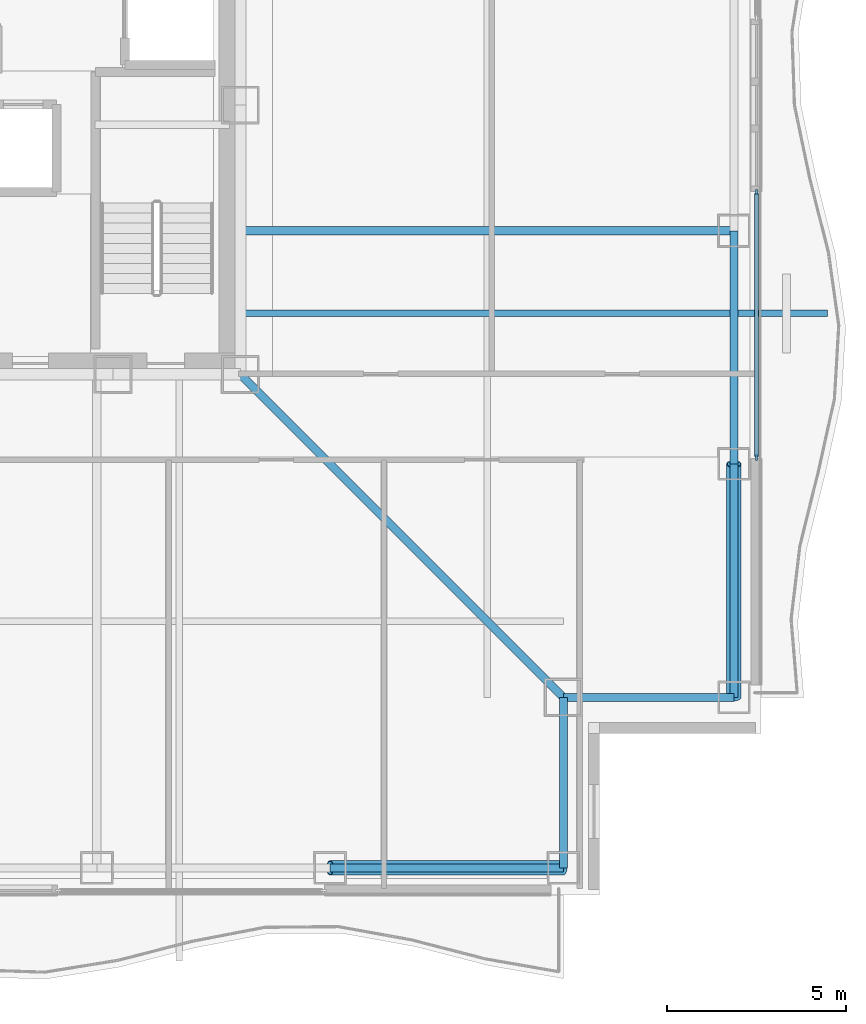
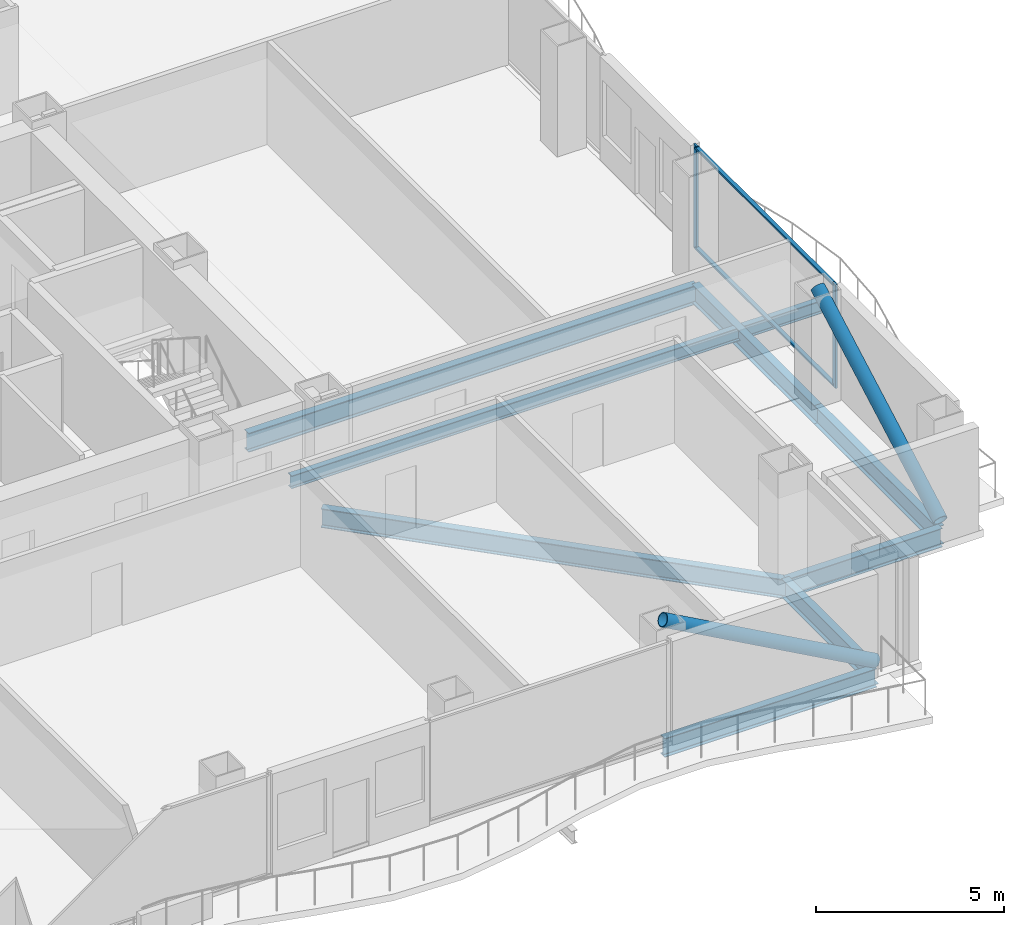
# One storey, part 6 of 18: 8 beams, 6 members, 1 element without a shape of its own.
"""IFC4 building model written with IfcOpenShell, lengths in metres."""

from ifc_helpers import new_model, si_unit, direction, frame, origin, origin_2d, place, context, subcontext, project, spatial, rectangle, hollow_circle, i_section, extrude, material, layer, layer_set, material_profile, profile_set, type_object, element, aggregate, save


model = new_model("IFC4")

# Units and contexts
model_context = context("Model", 3, precision=1e-05, world=origin(), true_north=direction((0.0, 1.0)))
body_context = subcontext(model_context, "Body", "Model", "MODEL_VIEW")
ifc_project = project(units=[si_unit("LENGTHUNIT", "METRE"), si_unit("AREAUNIT", "SQUARE_METRE"), si_unit("VOLUMEUNIT", "CUBIC_METRE"), si_unit("PLANEANGLEUNIT", "RADIAN"), si_unit("MASSUNIT", "GRAM", prefix="KILO")], contexts=[model_context])

# Site, building, storey
site_placement = place(None, origin())
site = spatial("IfcSite", under=ifc_project, at=site_placement, CompositionType="ELEMENT")
building_placement = place(site_placement, origin())
building = spatial("IfcBuilding", under=site, at=building_placement, Name="Trevonay Congress Spire", CompositionType="ELEMENT")
storey_placement = place(building_placement, frame((0.0, 0.0, 122.800048828125)))
storey = spatial("IfcBuildingStorey", under=building, at=storey_placement, Name="L31", CompositionType="ELEMENT", Elevation=122.800048828125)

# Beams
ifc_material_1 = material(Name="Steel ASTM A572 Grade 50", Category="steel")
ifc_material_profile_1 = material_profile(ifc_material_1, i_section(OverallWidth=0.22998046875, OverallDepth=0.616943359375, WebThickness=0.01318359375, FlangeThickness=0.022216796875, FilletRadius=0.01611328125, at=origin_2d()), Name="W610x140")
ifc_profile_set_1 = profile_set([ifc_material_profile_1], Name="Steel ASTM A572 Grade 50")
beam_type_1 = type_object("IfcBeamType", Name="BM-GIRD-W610X140", PredefinedType="BEAM", material=ifc_profile_set_1)
beam_1_placement = place(storey_placement, frame((7.5, -7.5, -0.548583984375), z_axis=(0.707106781187, -0.707106781187, 0.0), x_axis=(0.707106781187, 0.707106781187, 0.0)))
element("IfcBeam", 1, at=beam_1_placement, inside=storey, type_object=beam_type_1, Name="L31 structural beam BM-L31-CDSE", PredefinedType="BEAM", context=body_context, shape_type="SweptSolid", body=[
    extrude(i_section(OverallWidth=0.22998046875, OverallDepth=0.616943359375, WebThickness=0.01318359375, FlangeThickness=0.022216796875, FilletRadius=0.01611328125, at=origin_2d()), origin(), (0.0, 0.0, 1.0), 12.72802734375),
])
beam_2_placement = place(storey_placement, frame((7.5, -3.5, -0.548583984375), z_axis=(1.0, 0.0, 0.0), x_axis=(0.0, 1.0, 0.0)))
element("IfcBeam", 2, at=beam_2_placement, inside=storey, type_object=beam_type_1, Name="L31 structural beam BM-L31-GE-M", PredefinedType="BEAM", context=body_context, shape_type="SweptSolid", body=[
    extrude(i_section(OverallWidth=0.22998046875, OverallDepth=0.616943359375, WebThickness=0.01318359375, FlangeThickness=0.022216796875, FilletRadius=0.01611328125, at=origin_2d()), origin(), (0.0, 0.0, 1.0), 13.75),
])
ifc_material_profile_2 = material_profile(ifc_material_1, i_section(OverallWidth=0.22802734375, OverallDepth=0.60791015625, WebThickness=0.01123046875, FlangeThickness=0.017333984375, FilletRadius=0.01611328125, at=origin_2d()), Name="W610x113")
ifc_profile_set_2 = profile_set([ifc_material_profile_2], Name="Steel ASTM A572 Grade 50")
beam_type_2 = type_object("IfcBeamType", Name="BM-RING-W610X113", PredefinedType="BEAM", material=ifc_profile_set_2)
for number, where, z_axis, x_axis, name in (
    (3, (21.25, -16.5, -0.5439453125), (0.0, 1.0, 0.0), (-1.0, 0.0, 0.0), "L31 structural beam BM-L31-PE1"),
    (4, (21.25, -10.0, -0.5439453125), (0.0, 1.0, 0.0), (-1.0, 0.0, 0.0), "L31 structural beam BM-L31-PE2"),
    (5, (10.0, -21.25, -0.5439453125), (1.0, 0.0, 0.0), (0.0, 1.0, 0.0), "L31 structural beam BM-L31-PS5"),
):
    element("IfcBeam", number, at=place(storey_placement, frame(where, z_axis=z_axis, x_axis=x_axis)), inside=storey, type_object=beam_type_2, Name=name, PredefinedType="BEAM", context=body_context, shape_type="SweptSolid", body=[
        extrude(i_section(OverallWidth=0.22802734375, OverallDepth=0.60791015625, WebThickness=0.01123046875, FlangeThickness=0.017333984375, FilletRadius=0.01611328125, at=origin_2d()), origin(), (0.0, 0.0, 1.0), 6.5),
    ])
for number, where, z_axis, x_axis, name in (
    (6, (16.5, -21.25, -0.5439453125), (0.0, 1.0, 0.0), (-1.0, 0.0, 0.0), "L31 structural beam BM-L31-N1SE"),
    (7, (21.25, -16.5, -0.5439453125), (-1.0, 0.0, 0.0), (0.0, -1.0, 0.0), "L31 structural beam BM-L31-N2SE"),
):
    element("IfcBeam", number, at=place(storey_placement, frame(where, z_axis=z_axis, x_axis=x_axis)), inside=storey, type_object=beam_type_2, Name=name, PredefinedType="BEAM", context=body_context, shape_type="SweptSolid", body=[
        extrude(i_section(OverallWidth=0.22802734375, OverallDepth=0.60791015625, WebThickness=0.01123046875, FlangeThickness=0.017333984375, FilletRadius=0.01611328125, at=origin_2d()), origin(), (0.0, 0.0, 1.0), 4.75),
    ])
ifc_material_profile_3 = material_profile(ifc_material_1, i_section(OverallWidth=0.180908203125, OverallDepth=0.4169921875, WebThickness=0.010986328125, FlangeThickness=0.018310546875, FilletRadius=0.012939453125, at=origin_2d()), Name="W410x85")
ifc_profile_set_3 = profile_set([ifc_material_profile_3], Name="Steel ASTM A572 Grade 50")
beam_type_3 = type_object("IfcBeamType", Name="BM-WAV-LOOKOUT", PredefinedType="BEAM", material=ifc_profile_set_3)
beam_3_placement = place(storey_placement, frame((7.5, -5.800048828125, -0.448486328125), z_axis=(1.0, 0.0, 0.0), x_axis=(0.0, 1.0, 0.0)))
element("IfcBeam", 8, at=beam_3_placement, inside=storey, type_object=beam_type_3, Name="L31 structural beam WLK-L31-E1", PredefinedType="BEAM", context=body_context, shape_type="SweptSolid", body=[
    extrude(i_section(OverallWidth=0.180908203125, OverallDepth=0.4169921875, WebThickness=0.010986328125, FlangeThickness=0.018310546875, FilletRadius=0.012939453125, at=origin_2d()), origin(), (0.0, 0.0, 1.0), 16.35009765625),
])

# Curtain wall, members
ifc_material_2 = material(Name="Pale Anodised Aluminium EN AW-6063-T6", Category="aluminium")
ifc_layer = layer(ifc_material_2, 0.175048828125, Name="Pale Anodised Aluminium EN AW-6063-T6")
ifc_layer_set = layer_set([ifc_layer], Name="Pale Anodised Aluminium EN AW-6063-T6")
curtain_wall_type = type_object("IfcCurtainWallType", Name="CW-SYS03-CONGRESS-PALE-METAL", PredefinedType="NOTDEFINED", material=ifc_layer_set)
curtain_wall_placement = place(storey_placement, origin())
curtain_wall = element("IfcCurtainWall", 9, at=curtain_wall_placement, inside=storey, type_object=curtain_wall_type, Name="L31 EA unitised curtain wall", PredefinedType="NOTDEFINED")
ifc_material_profile_4 = material_profile(ifc_material_2, rectangle(XDim=0.06005859375, YDim=0.159912109375, at=origin_2d()), Name="CW-MULLION-160-ALUMINIUM")
ifc_profile_set_4 = profile_set([ifc_material_profile_4], Name="Pale Anodised Aluminium EN AW-6063-T6")
member_type_1 = type_object("IfcMemberType", Name="CW-MULLION-160-ALUMINIUM", PredefinedType="MULLION", material=ifc_profile_set_4)
member_1_placement = place(storey_placement, frame((21.8798828125, -9.820068359375, 0.0), z_axis=(0.0, 0.0, 1.0), x_axis=(-1.0, 0.0, 0.0)))
member_1 = element("IfcMember", 10, at=member_1_placement, type_object=member_type_1, Name="CW03 mullion 1", PredefinedType="MULLION", context=body_context, shape_type="SweptSolid", body=[
    extrude(rectangle(XDim=0.06005859375, YDim=0.159912109375, at=origin_2d()), origin(), (0.0, 0.0, 1.0), 3.35986328125),
])
member_2_placement = place(storey_placement, frame((21.8798828125, -2.429931640625, 0.0), z_axis=(0.0, 0.0, 1.0), x_axis=(-1.0, 0.0, 0.0)))
member_2 = element("IfcMember", 11, at=member_2_placement, type_object=member_type_1, Name="CW03 mullion 2", PredefinedType="MULLION", context=body_context, shape_type="SweptSolid", body=[
    extrude(rectangle(XDim=0.06005859375, YDim=0.159912109375, at=origin_2d()), origin(), (0.0, 0.0, 1.0), 3.35986328125),
])
ifc_material_profile_5 = material_profile(ifc_material_2, rectangle(XDim=0.1201171875, YDim=0.06005859375, at=origin_2d()), Name="CW-TRANSOM-120-ALUMINIUM")
ifc_profile_set_5 = profile_set([ifc_material_profile_5], Name="Pale Anodised Aluminium EN AW-6063-T6")
member_type_2 = type_object("IfcMemberType", Name="CW-TRANSOM-120-ALUMINIUM", PredefinedType="USERDEFINED", material=ifc_profile_set_5)
member_3_placement = place(storey_placement, frame((21.8798828125, -9.7900390625, 0.06005859375), z_axis=(0.0, 1.0, 0.0), x_axis=(-1.0, 0.0, 0.0)))
member_3 = element("IfcMember", 12, at=member_3_placement, type_object=member_type_2, Name="CW03 transom 1.1", ObjectType="TRANSOM", PredefinedType="USERDEFINED", context=body_context, shape_type="SweptSolid", body=[
    extrude(rectangle(XDim=0.1201171875, YDim=0.06005859375, at=origin_2d()), origin(), (0.0, 0.0, 1.0), 7.330078125),
])
member_4_placement = place(storey_placement, frame((21.8798828125, -9.7900390625, 3.300048828125), z_axis=(0.0, 1.0, 0.0), x_axis=(-1.0, 0.0, 0.0)))
member_4 = element("IfcMember", 13, at=member_4_placement, type_object=member_type_2, Name="CW03 transom 1.2", ObjectType="TRANSOM", PredefinedType="USERDEFINED", context=body_context, shape_type="SweptSolid", body=[
    extrude(rectangle(XDim=0.1201171875, YDim=0.06005859375, at=origin_2d()), origin(), (0.0, 0.0, 1.0), 7.330078125),
])
aggregate(curtain_wall, [member_1, member_2, member_3, member_4])

# Members
ifc_material_3 = material(Name="Steel ASTM A500 Grade C", Category="steel")
ifc_material_profile_6 = material_profile(ifc_material_3, hollow_circle(Radius=0.203125, WallThickness=0.02001953125, at=origin_2d()), Name="CHS 406.4x20")
ifc_profile_set_6 = profile_set([ifc_material_profile_6], Name="Steel ASTM A500 Grade C")
member_type_3 = type_object("IfcMemberType", Name="MBR-TUBE-CHS406", PredefinedType="BRACE", material=ifc_profile_set_6)
for number, where, z_axis, x_axis, name in (
    (14, (16.5, -21.25, -0.050048828125), (-0.874785785626, 0.0, 0.484509885623), (0.0, -1.0, 0.0), "L31 perimeter braced-tube diagonal S4"),
    (15, (21.25, -16.5, -0.050048828125), (0.0, 0.874785785626, 0.484509885623), (-1.0, 0.0, 0.0), "L31 perimeter braced-tube diagonal E0"),
):
    element("IfcMember", number, at=place(storey_placement, frame(where, z_axis=z_axis, x_axis=x_axis)), inside=storey, type_object=member_type_3, Name=name, PredefinedType="BRACE", context=body_context, shape_type="SweptSolid", body=[
        extrude(hollow_circle(Radius=0.203125, WallThickness=0.02001953125, at=origin_2d()), origin(), (0.0, 0.0, 1.0), 7.430419921875),
    ])

save(model, "model.ifc")
